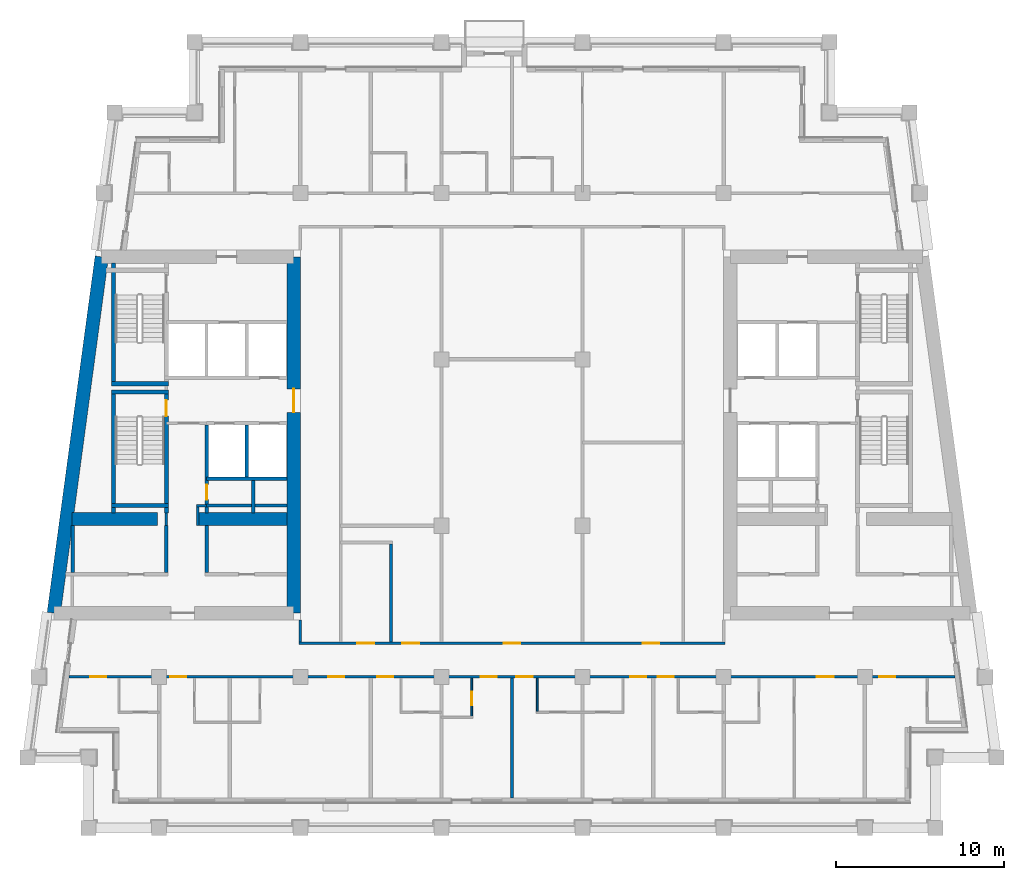
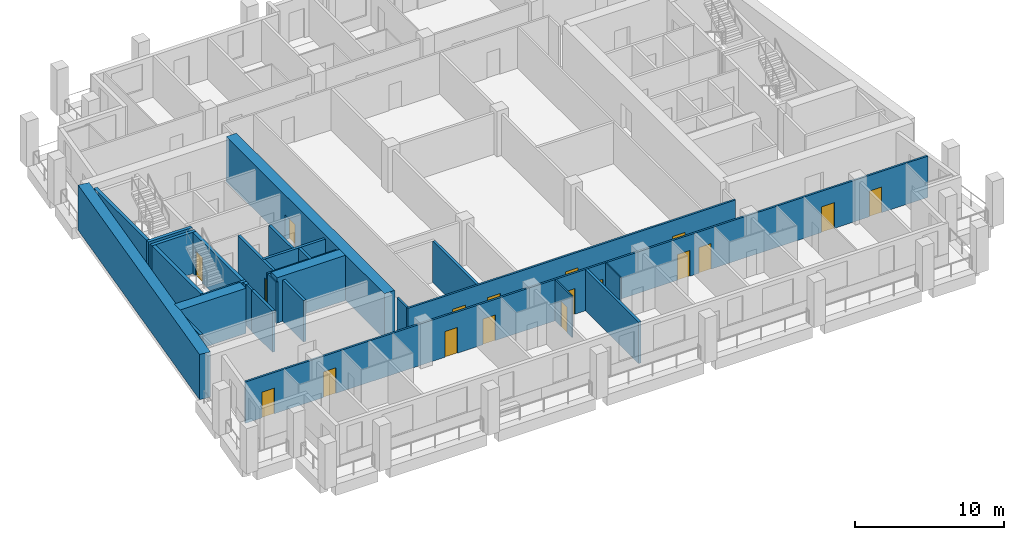
# One storey, part 3 of 12: 28 walls, 18 doors, 18 openings.
"""IFC4 building model written with IfcOpenShell, lengths in metres."""

from ifc_helpers import new_model, si_unit, direction, frame, frame_2d, origin, place, context, subcontext, project, spatial, rectangle, extrude, material, layer, layer_set, type_object, element, fill, save


model = new_model("IFC4")

# Units and contexts
model_context = context("Model", 3, precision=1e-05, world=origin(), true_north=direction((0.0, 1.0)))
body_context = subcontext(model_context, "Body", "Model", "MODEL_VIEW")
ifc_project = project(units=[si_unit("LENGTHUNIT", "METRE"), si_unit("AREAUNIT", "SQUARE_METRE"), si_unit("VOLUMEUNIT", "CUBIC_METRE"), si_unit("PLANEANGLEUNIT", "RADIAN"), si_unit("MASSUNIT", "GRAM", prefix="KILO")], contexts=[model_context])

# Site, building, storey
site_placement = place(None, origin())
site = spatial("IfcSite", under=ifc_project, at=site_placement, CompositionType="ELEMENT")
building_placement = place(site_placement, origin())
building = spatial("IfcBuilding", under=site, at=building_placement, Name="Candeia Pilgrim Tower and Theatre", CompositionType="ELEMENT")
storey_placement = place(building_placement, frame((0.0, 0.0, 217.0)))
storey = spatial("IfcBuildingStorey", under=building, at=storey_placement, Name="L52", CompositionType="ELEMENT", Elevation=217.0)

# Wall, opening, door
ifc_material_1 = material(Name="Concrete C50/60", Category="concrete")
ifc_layer_1 = layer(ifc_material_1, 0.800048828125)
ifc_layer_set_1 = layer_set([ifc_layer_1], Name="Core wall 800 C50/60")
wall_type_1 = type_object("IfcWallType", Name="Core wall 800 C50/60", PredefinedType="SHEAR", material=ifc_layer_set_1)
wall_1_placement = place(storey_placement, frame((100.39990234375, 132.0, 0.0), z_axis=(0.0, 0.0, 1.0), x_axis=(0.0, -1.0, 0.0)))
wall_1 = element("IfcWall", 1, at=wall_1_placement, inside=storey, type_object=wall_type_1, Name="Core wall W2", PredefinedType="SHEAR", context=body_context, shape_type="SweptSolid", body=[
    extrude(rectangle(XDim=21.199951171875, YDim=0.800048828125, at=frame_2d((10.60009765625, 0.0))), origin(), (0.0, 0.0, 1.0), 3.699951171875),
])
opening_1_placement = place(wall_1_placement, frame((7.85009765625, 0.0, 0.0)))
opening_1 = element("IfcOpeningElement", 2, at=opening_1_placement, cuts=wall_1, Name="Opening L52-D055", PredefinedType="OPENING", context=body_context, shape_type="SweptSolid", body=[
    extrude(rectangle(XDim=1.39990234375, YDim=2.10009765625, at=frame_2d((0.699951171875, 1.050048828125))), frame((0.0, 0.41015625, 0.0), z_axis=(0.0, -1.0, 0.0), x_axis=(1.0, 0.0, 0.0)), (0.0, 0.0, 1.0), 0.820068359375),
])
ifc_material_2 = material(Name="Steel fire door set", Category="steel")
door_type_1 = type_object("IfcDoorType", Name="D-1400-FD60", OperationType="NOTDEFINED", PredefinedType="DOOR", material=ifc_material_2)
door_1_placement = place(opening_1_placement, origin())
door_1 = element("IfcDoor", 3, at=door_1_placement, inside=storey, type_object=door_type_1, Name="Door L52-D055", OperationType="SINGLE_SWING_LEFT", OverallHeight=2.10009765625, OverallWidth=1.39990234375, PredefinedType="DOOR", context=body_context, shape_type="SweptSolid", body=[
    extrude(rectangle(XDim=1.39990234375, YDim=2.10009765625, at=frame_2d((0.699951171875, 1.050048828125))), frame((0.0, 0.02490234375, 0.0), z_axis=(0.0, -1.0, 0.0), x_axis=(1.0, 0.0, 0.0)), (0.0, 0.0, 1.0), 0.050048828125),
])
fill(opening_1, door_1)

# Walls
wall_2_placement = place(storey_placement, frame((86.126708984375, 110.800048828125, 0.0), z_axis=(0.0, 0.0, 1.0), x_axis=(0.133408347329, 0.991061154956, 0.0)))
element("IfcWall", 4, at=wall_2_placement, inside=storey, type_object=wall_type_1, Name="Core wall W4", PredefinedType="SHEAR", context=body_context, shape_type="SweptSolid", body=[
    extrude(rectangle(XDim=21.39111328125, YDim=0.800048828125, at=frame_2d((10.695556640625, 0.0))), origin(), (0.0, 0.0, 1.0), 3.699951171875),
])
wall_3_placement = place(storey_placement, frame((87.22314453125, 116.39990234375, 0.0), z_axis=(0.0, 0.0, 1.0), x_axis=(1.0, 0.0, 0.0)))
element("IfcWall", 5, at=wall_3_placement, inside=storey, type_object=wall_type_1, Name="Core wall W5", PredefinedType="SHEAR", context=body_context, shape_type="SweptSolid", body=[
    extrude(rectangle(XDim=5.076904296875, YDim=0.800048828125, at=frame_2d((2.53857421875, 0.0))), origin(), (0.0, 0.0, 1.0), 3.699951171875),
])
wall_4_placement = place(storey_placement, frame((94.699951171875, 116.39990234375, 0.0), z_axis=(0.0, 0.0, 1.0), x_axis=(1.0, 0.0, 0.0)))
element("IfcWall", 6, at=wall_4_placement, inside=storey, type_object=wall_type_1, Name="Core wall W6", PredefinedType="SHEAR", context=body_context, shape_type="SweptSolid", body=[
    extrude(rectangle(XDim=5.300048828125, YDim=0.800048828125, at=frame_2d((2.64990234375, 0.0))), origin(), (0.0, 0.0, 1.0), 3.699951171875),
])

# Wall, opening, door
ifc_material_3 = material(Name="Gypsum board partition on steel studs", Category="steel")
ifc_layer_2 = layer(ifc_material_3, 0.10009765625)
ifc_layer_set_2 = layer_set([ifc_layer_2], Name="PW-100 room partition")
wall_type_2 = type_object("IfcWallType", Name="PW-100 room partition", PredefinedType="PARTITIONING", material=ifc_layer_set_2)
wall_5_placement = place(storey_placement, frame((111.0, 104.64990234375, 0.0), z_axis=(0.0, 0.0, 1.0), x_axis=(0.0, 1.0, 0.0)))
wall_5 = element("IfcWall", 7, at=wall_5_placement, inside=storey, type_object=wall_type_2, Name="Room partition L52-084", PredefinedType="PARTITIONING", context=body_context, shape_type="SweptSolid", body=[
    extrude(rectangle(XDim=2.275146484375, YDim=0.10009765625, at=frame_2d((1.1376953125, 0.0))), origin(), (0.0, 0.0, 1.0), 3.3798828125),
])
opening_2_placement = place(wall_5_placement, frame((0.659912109375, 0.0, 0.0)))
opening_2 = element("IfcOpeningElement", 8, at=opening_2_placement, cuts=wall_5, Name="Opening L52-D022", PredefinedType="OPENING", context=body_context, shape_type="SweptSolid", body=[
    extrude(rectangle(XDim=0.800048828125, YDim=2.10009765625, at=frame_2d((0.39990234375, 1.050048828125))), frame((0.0, 0.06005859375, 0.0), z_axis=(0.0, -1.0, 0.0), x_axis=(1.0, 0.0, 0.0)), (0.0, 0.0, 1.0), 0.1201171875),
])
ifc_material_4 = material(Name="Timber door leaf", Category="wood")
door_type_2 = type_object("IfcDoorType", Name="D-800", OperationType="NOTDEFINED", PredefinedType="DOOR", material=ifc_material_4)
door_2_placement = place(opening_2_placement, origin())
door_2 = element("IfcDoor", 9, at=door_2_placement, inside=storey, type_object=door_type_2, Name="Door L52-D022", OperationType="SINGLE_SWING_RIGHT", OverallHeight=2.10009765625, OverallWidth=0.800048828125, PredefinedType="DOOR", context=body_context, shape_type="SweptSolid", body=[
    extrude(rectangle(XDim=0.800048828125, YDim=2.10009765625, at=frame_2d((0.39990234375, 1.050048828125))), frame((0.0, 0.02490234375, 0.0), z_axis=(0.0, -1.0, 0.0), x_axis=(1.0, 0.0, 0.0)), (0.0, 0.0, 1.0), 0.050048828125),
])
fill(opening_2, door_2)

# Walls
wall_6_placement = place(storey_placement, frame((114.89990234375, 104.949951171875, 0.0), z_axis=(0.0, 0.0, 1.0), x_axis=(0.0, 1.0, 0.0)))
element("IfcWall", 10, at=wall_6_placement, inside=storey, type_object=wall_type_2, Name="Room partition L52-088", PredefinedType="PARTITIONING", context=body_context, shape_type="SweptSolid", body=[
    extrude(rectangle(XDim=1.97509765625, YDim=0.10009765625, at=frame_2d((0.987548828125, 0.0))), origin(), (0.0, 0.0, 1.0), 3.3798828125),
])
ifc_layer_3 = layer(ifc_material_3, 0.14990234375)
ifc_layer_set_3 = layer_set([ifc_layer_3], Name="PW-150 lobby wall")
wall_type_3 = type_object("IfcWallType", Name="PW-150 lobby wall", PredefinedType="PARTITIONING", material=ifc_layer_set_3)
wall_7_placement = place(storey_placement, frame((94.625, 117.199951171875, 0.0), z_axis=(0.0, 0.0, 1.0), x_axis=(1.0, 0.0, 0.0)))
element("IfcWall", 11, at=wall_7_placement, inside=storey, type_object=wall_type_3, Name="Lobby wall L52-019", PredefinedType="PARTITIONING", context=body_context, shape_type="SweptSolid", body=[
    extrude(rectangle(XDim=0.60205078125, YDim=0.14990234375, at=frame_2d((0.301025390625, 0.0))), origin(), (0.0, 0.0, 1.0), 3.3798828125),
])
wall_8_placement = place(storey_placement, frame((92.826904296875, 116.0, 0.0), z_axis=(0.0, 0.0, 1.0), x_axis=(0.0, 1.0, 0.0)))
element("IfcWall", 12, at=wall_8_placement, inside=storey, type_object=wall_type_3, Name="Lobby wall L52-056", PredefinedType="PARTITIONING", context=body_context, shape_type="SweptSolid", body=[
    extrude(rectangle(XDim=0.77001953125, YDim=0.14990234375, at=frame_2d((0.385009765625, 0.0))), origin(), (0.0, 0.0, 1.0), 3.3798828125),
])
wall_9_placement = place(storey_placement, frame((94.699951171875, 116.0, 0.0), z_axis=(0.0, 0.0, 1.0), x_axis=(0.0, 1.0, 0.0)))
element("IfcWall", 13, at=wall_9_placement, inside=storey, type_object=wall_type_3, Name="Lobby wall L52-062", PredefinedType="PARTITIONING", context=body_context, shape_type="SweptSolid", body=[
    extrude(rectangle(XDim=1.125, YDim=0.14990234375, at=frame_2d((0.5625, 0.0))), origin(), (0.0, 0.0, 1.0), 3.3798828125),
])

# Wall, openings, doors
ifc_layer_4 = layer(ifc_material_3, 0.14990234375)
ifc_layer_set_4 = layer_set([ifc_layer_4], Name="PW-150 unit wall")
wall_type_4 = type_object("IfcWallType", Name="PW-150 unit wall", PredefinedType="PARTITIONING", material=ifc_layer_set_4)
wall_10_placement = place(storey_placement, frame((87.017578125, 107.0, 0.0), z_axis=(0.0, 0.0, 1.0), x_axis=(1.0, 0.0, 0.0)))
wall_10 = element("IfcWall", 14, at=wall_10_placement, inside=storey, type_object=wall_type_4, Name="Unit wall L52-009", PredefinedType="PARTITIONING", context=body_context, shape_type="SweptSolid", body=[
    extrude(rectangle(XDim=52.7646484375, YDim=0.14990234375, at=frame_2d((26.38232421875, 0.0))), origin(), (0.0, 0.0, 1.0), 3.3798828125),
])
opening_3_placement = place(wall_10_placement, frame((1.2763671875, 0.0, 0.0)))
opening_3 = element("IfcOpeningElement", 15, at=opening_3_placement, cuts=wall_10, Name="Opening L52-D013", PredefinedType="OPENING", context=body_context, shape_type="SweptSolid", body=[
    extrude(rectangle(XDim=0.949951171875, YDim=2.10009765625, at=frame_2d((0.47509765625, 1.050048828125))), frame((0.0, 0.0849609375, 0.0), z_axis=(0.0, -1.0, 0.0), x_axis=(1.0, 0.0, 0.0)), (0.0, 0.0, 1.0), 0.169921875),
])
opening_4_placement = place(wall_10_placement, frame((6.0341796875, 0.0, 0.0)))
opening_4 = element("IfcOpeningElement", 16, at=opening_4_placement, cuts=wall_10, Name="Opening L52-D015", PredefinedType="OPENING", context=body_context, shape_type="SweptSolid", body=[
    extrude(rectangle(XDim=0.949951171875, YDim=2.10009765625, at=frame_2d((0.47509765625, 1.050048828125))), frame((0.0, 0.0849609375, 0.0), z_axis=(0.0, -1.0, 0.0), x_axis=(1.0, 0.0, 0.0)), (0.0, 0.0, 1.0), 0.169921875),
])
opening_5_placement = place(wall_10_placement, frame((15.4453125, 0.0, 0.0)))
opening_5 = element("IfcOpeningElement", 17, at=opening_5_placement, cuts=wall_10, Name="Opening L52-D017", PredefinedType="OPENING", context=body_context, shape_type="SweptSolid", body=[
    extrude(rectangle(XDim=0.949951171875, YDim=2.10009765625, at=frame_2d((0.47509765625, 1.050048828125))), frame((0.0, 0.0849609375, 0.0), z_axis=(0.0, -1.0, 0.0), x_axis=(1.0, 0.0, 0.0)), (0.0, 0.0, 1.0), 0.169921875),
])
opening_6_placement = place(wall_10_placement, frame((18.369384765625, 0.0, 0.0)))
opening_6 = element("IfcOpeningElement", 18, at=opening_6_placement, cuts=wall_10, Name="Opening L52-D019", PredefinedType="OPENING", context=body_context, shape_type="SweptSolid", body=[
    extrude(rectangle(XDim=0.949951171875, YDim=2.10009765625, at=frame_2d((0.47509765625, 1.050048828125))), frame((0.0, 0.0849609375, 0.0), z_axis=(0.0, -1.0, 0.0), x_axis=(1.0, 0.0, 0.0)), (0.0, 0.0, 1.0), 0.169921875),
])
opening_7_placement = place(wall_10_placement, frame((24.519287109375, 0.0, 0.0)))
opening_7 = element("IfcOpeningElement", 19, at=opening_7_placement, cuts=wall_10, Name="Opening L52-D021", PredefinedType="OPENING", context=body_context, shape_type="SweptSolid", body=[
    extrude(rectangle(XDim=0.949951171875, YDim=2.10009765625, at=frame_2d((0.47509765625, 1.050048828125))), frame((0.0, 0.0849609375, 0.0), z_axis=(0.0, -1.0, 0.0), x_axis=(1.0, 0.0, 0.0)), (0.0, 0.0, 1.0), 0.169921875),
])
opening_8_placement = place(wall_10_placement, frame((26.63232421875, 0.0, 0.0)))
opening_8 = element("IfcOpeningElement", 20, at=opening_8_placement, cuts=wall_10, Name="Opening L52-D023", PredefinedType="OPENING", context=body_context, shape_type="SweptSolid", body=[
    extrude(rectangle(XDim=1.0, YDim=2.10009765625, at=frame_2d((0.5, 1.050048828125))), frame((0.0, 0.0849609375, 0.0), z_axis=(0.0, -1.0, 0.0), x_axis=(1.0, 0.0, 0.0)), (0.0, 0.0, 1.0), 0.169921875),
])
opening_9_placement = place(wall_10_placement, frame((33.42236328125, 0.0, 0.0)))
opening_9 = element("IfcOpeningElement", 21, at=opening_9_placement, cuts=wall_10, Name="Opening L52-D025", PredefinedType="OPENING", context=body_context, shape_type="SweptSolid", body=[
    extrude(rectangle(XDim=0.949951171875, YDim=2.10009765625, at=frame_2d((0.47509765625, 1.050048828125))), frame((0.0, 0.0849609375, 0.0), z_axis=(0.0, -1.0, 0.0), x_axis=(1.0, 0.0, 0.0)), (0.0, 0.0, 1.0), 0.169921875),
])
opening_10_placement = place(wall_10_placement, frame((35.057373046875, 0.0, 0.0)))
opening_10 = element("IfcOpeningElement", 22, at=opening_10_placement, cuts=wall_10, Name="Opening L52-D027", PredefinedType="OPENING", context=body_context, shape_type="SweptSolid", body=[
    extrude(rectangle(XDim=0.949951171875, YDim=2.10009765625, at=frame_2d((0.47509765625, 1.050048828125))), frame((0.0, 0.0849609375, 0.0), z_axis=(0.0, -1.0, 0.0), x_axis=(1.0, 0.0, 0.0)), (0.0, 0.0, 1.0), 0.169921875),
])
opening_11_placement = place(wall_10_placement, frame((44.5322265625, 0.0, 0.0)))
opening_11 = element("IfcOpeningElement", 23, at=opening_11_placement, cuts=wall_10, Name="Opening L52-D029", PredefinedType="OPENING", context=body_context, shape_type="SweptSolid", body=[
    extrude(rectangle(XDim=1.0, YDim=2.10009765625, at=frame_2d((0.5, 1.050048828125))), frame((0.0, 0.0849609375, 0.0), z_axis=(0.0, -1.0, 0.0), x_axis=(1.0, 0.0, 0.0)), (0.0, 0.0, 1.0), 0.169921875),
])
opening_12_placement = place(wall_10_placement, frame((48.249267578125, 0.0, 0.0)))
opening_12 = element("IfcOpeningElement", 24, at=opening_12_placement, cuts=wall_10, Name="Opening L52-D032", PredefinedType="OPENING", context=body_context, shape_type="SweptSolid", body=[
    extrude(rectangle(XDim=0.949951171875, YDim=2.10009765625, at=frame_2d((0.47509765625, 1.050048828125))), frame((0.0, 0.0849609375, 0.0), z_axis=(0.0, -1.0, 0.0), x_axis=(1.0, 0.0, 0.0)), (0.0, 0.0, 1.0), 0.169921875),
])
door_type_3 = type_object("IfcDoorType", Name="D-1000-FD30S", OperationType="NOTDEFINED", PredefinedType="DOOR", material=ifc_material_2)
door_3_placement = place(opening_8_placement, origin())
door_3 = element("IfcDoor", 25, at=door_3_placement, inside=storey, type_object=door_type_3, Name="Door L52-D023", OperationType="SINGLE_SWING_LEFT", OverallHeight=2.10009765625, OverallWidth=1.0, PredefinedType="DOOR", context=body_context, shape_type="SweptSolid", body=[
    extrude(rectangle(XDim=1.0, YDim=2.10009765625, at=frame_2d((0.5, 1.050048828125))), frame((0.0, 0.02490234375, 0.0), z_axis=(0.0, -1.0, 0.0), x_axis=(1.0, 0.0, 0.0)), (0.0, 0.0, 1.0), 0.050048828125),
])
fill(opening_8, door_3)
door_4_placement = place(opening_11_placement, origin())
door_4 = element("IfcDoor", 26, at=door_4_placement, inside=storey, type_object=door_type_3, Name="Door L52-D029", OperationType="SINGLE_SWING_LEFT", OverallHeight=2.10009765625, OverallWidth=1.0, PredefinedType="DOOR", context=body_context, shape_type="SweptSolid", body=[
    extrude(rectangle(XDim=1.0, YDim=2.10009765625, at=frame_2d((0.5, 1.050048828125))), frame((0.0, 0.02490234375, 0.0), z_axis=(0.0, -1.0, 0.0), x_axis=(1.0, 0.0, 0.0)), (0.0, 0.0, 1.0), 0.050048828125),
])
fill(opening_11, door_4)
door_type_4 = type_object("IfcDoorType", Name="D-950-FD30S", OperationType="NOTDEFINED", PredefinedType="DOOR", material=ifc_material_2)
door_5_placement = place(opening_3_placement, origin())
door_5 = element("IfcDoor", 27, at=door_5_placement, inside=storey, type_object=door_type_4, Name="Door L52-D013", OperationType="SINGLE_SWING_LEFT", OverallHeight=2.10009765625, OverallWidth=0.949951171875, PredefinedType="DOOR", context=body_context, shape_type="SweptSolid", body=[
    extrude(rectangle(XDim=0.949951171875, YDim=2.10009765625, at=frame_2d((0.47509765625, 1.050048828125))), frame((0.0, 0.02490234375, 0.0), z_axis=(0.0, -1.0, 0.0), x_axis=(1.0, 0.0, 0.0)), (0.0, 0.0, 1.0), 0.050048828125),
])
fill(opening_3, door_5)
door_6_placement = place(opening_4_placement, origin())
door_6 = element("IfcDoor", 28, at=door_6_placement, inside=storey, type_object=door_type_4, Name="Door L52-D015", OperationType="SINGLE_SWING_LEFT", OverallHeight=2.10009765625, OverallWidth=0.949951171875, PredefinedType="DOOR", context=body_context, shape_type="SweptSolid", body=[
    extrude(rectangle(XDim=0.949951171875, YDim=2.10009765625, at=frame_2d((0.47509765625, 1.050048828125))), frame((0.0, 0.02490234375, 0.0), z_axis=(0.0, -1.0, 0.0), x_axis=(1.0, 0.0, 0.0)), (0.0, 0.0, 1.0), 0.050048828125),
])
fill(opening_4, door_6)
door_7_placement = place(opening_5_placement, origin())
door_7 = element("IfcDoor", 29, at=door_7_placement, inside=storey, type_object=door_type_4, Name="Door L52-D017", OperationType="SINGLE_SWING_LEFT", OverallHeight=2.10009765625, OverallWidth=0.949951171875, PredefinedType="DOOR", context=body_context, shape_type="SweptSolid", body=[
    extrude(rectangle(XDim=0.949951171875, YDim=2.10009765625, at=frame_2d((0.47509765625, 1.050048828125))), frame((0.0, 0.02490234375, 0.0), z_axis=(0.0, -1.0, 0.0), x_axis=(1.0, 0.0, 0.0)), (0.0, 0.0, 1.0), 0.050048828125),
])
fill(opening_5, door_7)
door_8_placement = place(opening_6_placement, origin())
door_8 = element("IfcDoor", 30, at=door_8_placement, inside=storey, type_object=door_type_4, Name="Door L52-D019", OperationType="SINGLE_SWING_LEFT", OverallHeight=2.10009765625, OverallWidth=0.949951171875, PredefinedType="DOOR", context=body_context, shape_type="SweptSolid", body=[
    extrude(rectangle(XDim=0.949951171875, YDim=2.10009765625, at=frame_2d((0.47509765625, 1.050048828125))), frame((0.0, 0.02490234375, 0.0), z_axis=(0.0, -1.0, 0.0), x_axis=(1.0, 0.0, 0.0)), (0.0, 0.0, 1.0), 0.050048828125),
])
fill(opening_6, door_8)
door_9_placement = place(opening_7_placement, origin())
door_9 = element("IfcDoor", 31, at=door_9_placement, inside=storey, type_object=door_type_4, Name="Door L52-D021", OperationType="SINGLE_SWING_LEFT", OverallHeight=2.10009765625, OverallWidth=0.949951171875, PredefinedType="DOOR", context=body_context, shape_type="SweptSolid", body=[
    extrude(rectangle(XDim=0.949951171875, YDim=2.10009765625, at=frame_2d((0.47509765625, 1.050048828125))), frame((0.0, 0.02490234375, 0.0), z_axis=(0.0, -1.0, 0.0), x_axis=(1.0, 0.0, 0.0)), (0.0, 0.0, 1.0), 0.050048828125),
])
fill(opening_7, door_9)
door_10_placement = place(opening_9_placement, origin())
door_10 = element("IfcDoor", 32, at=door_10_placement, inside=storey, type_object=door_type_4, Name="Door L52-D025", OperationType="SINGLE_SWING_LEFT", OverallHeight=2.10009765625, OverallWidth=0.949951171875, PredefinedType="DOOR", context=body_context, shape_type="SweptSolid", body=[
    extrude(rectangle(XDim=0.949951171875, YDim=2.10009765625, at=frame_2d((0.47509765625, 1.050048828125))), frame((0.0, 0.02490234375, 0.0), z_axis=(0.0, -1.0, 0.0), x_axis=(1.0, 0.0, 0.0)), (0.0, 0.0, 1.0), 0.050048828125),
])
fill(opening_9, door_10)
door_11_placement = place(opening_10_placement, origin())
door_11 = element("IfcDoor", 33, at=door_11_placement, inside=storey, type_object=door_type_4, Name="Door L52-D027", OperationType="SINGLE_SWING_LEFT", OverallHeight=2.10009765625, OverallWidth=0.949951171875, PredefinedType="DOOR", context=body_context, shape_type="SweptSolid", body=[
    extrude(rectangle(XDim=0.949951171875, YDim=2.10009765625, at=frame_2d((0.47509765625, 1.050048828125))), frame((0.0, 0.02490234375, 0.0), z_axis=(0.0, -1.0, 0.0), x_axis=(1.0, 0.0, 0.0)), (0.0, 0.0, 1.0), 0.050048828125),
])
fill(opening_10, door_11)
door_12_placement = place(opening_12_placement, origin())
door_12 = element("IfcDoor", 34, at=door_12_placement, inside=storey, type_object=door_type_4, Name="Door L52-D032", OperationType="SINGLE_SWING_RIGHT", OverallHeight=2.10009765625, OverallWidth=0.949951171875, PredefinedType="DOOR", context=body_context, shape_type="SweptSolid", body=[
    extrude(rectangle(XDim=0.949951171875, YDim=2.10009765625, at=frame_2d((0.47509765625, 1.050048828125))), frame((0.0, 0.02490234375, 0.0), z_axis=(0.0, -1.0, 0.0), x_axis=(1.0, 0.0, 0.0)), (0.0, 0.0, 1.0), 0.050048828125),
])
fill(opening_12, door_12)

wall_11_placement = place(storey_placement, frame((100.72509765625, 109.0, 0.0), z_axis=(0.0, 0.0, 1.0), x_axis=(1.0, 0.0, 0.0)))
wall_11 = element("IfcWall", 35, at=wall_11_placement, inside=storey, type_object=wall_type_4, Name="Unit wall L52-010", PredefinedType="PARTITIONING", context=body_context, shape_type="SweptSolid", body=[
    extrude(rectangle(XDim=25.349853515625, YDim=0.14990234375, at=frame_2d((12.6748046875, 0.0))), origin(), (0.0, 0.0, 1.0), 3.3798828125),
])
opening_13_placement = place(wall_11_placement, frame((6.14990234375, 0.0, 0.0)))
opening_13 = element("IfcOpeningElement", 36, at=opening_13_placement, cuts=wall_11, Name="Opening L52-D046", PredefinedType="OPENING", context=body_context, shape_type="SweptSolid", body=[
    extrude(rectangle(XDim=1.0, YDim=2.10009765625, at=frame_2d((0.5, 1.050048828125))), frame((0.0, 0.0849609375, 0.0), z_axis=(0.0, -1.0, 0.0), x_axis=(1.0, 0.0, 0.0)), (0.0, 0.0, 1.0), 0.169921875),
])
opening_14_placement = place(wall_11_placement, frame((3.47509765625, 0.0, 0.0)))
opening_14 = element("IfcOpeningElement", 37, at=opening_14_placement, cuts=wall_11, Name="Opening L52-D047", PredefinedType="OPENING", context=body_context, shape_type="SweptSolid", body=[
    extrude(rectangle(XDim=1.0, YDim=2.10009765625, at=frame_2d((0.5, 1.050048828125))), frame((0.0, 0.0849609375, 0.0), z_axis=(0.0, -1.0, 0.0), x_axis=(1.0, 0.0, 0.0)), (0.0, 0.0, 1.0), 0.169921875),
])
opening_15_placement = place(wall_11_placement, frame((12.175048828125, 0.0, 0.0)))
opening_15 = element("IfcOpeningElement", 38, at=opening_15_placement, cuts=wall_11, Name="Opening L52-D049", PredefinedType="OPENING", context=body_context, shape_type="SweptSolid", body=[
    extrude(rectangle(XDim=1.0, YDim=2.10009765625, at=frame_2d((0.5, 1.050048828125))), frame((0.0, 0.0849609375, 0.0), z_axis=(0.0, -1.0, 0.0), x_axis=(1.0, 0.0, 0.0)), (0.0, 0.0, 1.0), 0.169921875),
])
opening_16_placement = place(wall_11_placement, frame((20.449951171875, 0.0, 0.0)))
opening_16 = element("IfcOpeningElement", 39, at=opening_16_placement, cuts=wall_11, Name="Opening L52-D051", PredefinedType="OPENING", context=body_context, shape_type="SweptSolid", body=[
    extrude(rectangle(XDim=1.0, YDim=2.10009765625, at=frame_2d((0.5, 1.050048828125))), frame((0.0, 0.0849609375, 0.0), z_axis=(0.0, -1.0, 0.0), x_axis=(1.0, 0.0, 0.0)), (0.0, 0.0, 1.0), 0.169921875),
])
door_13_placement = place(opening_13_placement, origin())
door_13 = element("IfcDoor", 40, at=door_13_placement, inside=storey, type_object=door_type_3, Name="Door L52-D046", OperationType="SINGLE_SWING_RIGHT", OverallHeight=2.10009765625, OverallWidth=1.0, PredefinedType="DOOR", context=body_context, shape_type="SweptSolid", body=[
    extrude(rectangle(XDim=1.0, YDim=2.10009765625, at=frame_2d((0.5, 1.050048828125))), frame((0.0, 0.02490234375, 0.0), z_axis=(0.0, -1.0, 0.0), x_axis=(1.0, 0.0, 0.0)), (0.0, 0.0, 1.0), 0.050048828125),
])
fill(opening_13, door_13)
door_14_placement = place(opening_14_placement, origin())
door_14 = element("IfcDoor", 41, at=door_14_placement, inside=storey, type_object=door_type_3, Name="Door L52-D047", OperationType="SINGLE_SWING_LEFT", OverallHeight=2.10009765625, OverallWidth=1.0, PredefinedType="DOOR", context=body_context, shape_type="SweptSolid", body=[
    extrude(rectangle(XDim=1.0, YDim=2.10009765625, at=frame_2d((0.5, 1.050048828125))), frame((0.0, 0.02490234375, 0.0), z_axis=(0.0, -1.0, 0.0), x_axis=(1.0, 0.0, 0.0)), (0.0, 0.0, 1.0), 0.050048828125),
])
fill(opening_14, door_14)
door_15_placement = place(opening_15_placement, origin())
door_15 = element("IfcDoor", 42, at=door_15_placement, inside=storey, type_object=door_type_3, Name="Door L52-D049", OperationType="SINGLE_SWING_LEFT", OverallHeight=2.10009765625, OverallWidth=1.0, PredefinedType="DOOR", context=body_context, shape_type="SweptSolid", body=[
    extrude(rectangle(XDim=1.0, YDim=2.10009765625, at=frame_2d((0.5, 1.050048828125))), frame((0.0, 0.02490234375, 0.0), z_axis=(0.0, -1.0, 0.0), x_axis=(1.0, 0.0, 0.0)), (0.0, 0.0, 1.0), 0.050048828125),
])
fill(opening_15, door_15)
door_16_placement = place(opening_16_placement, origin())
door_16 = element("IfcDoor", 43, at=door_16_placement, inside=storey, type_object=door_type_3, Name="Door L52-D051", OperationType="SINGLE_SWING_LEFT", OverallHeight=2.10009765625, OverallWidth=1.0, PredefinedType="DOOR", context=body_context, shape_type="SweptSolid", body=[
    extrude(rectangle(XDim=1.0, YDim=2.10009765625, at=frame_2d((0.5, 1.050048828125))), frame((0.0, 0.02490234375, 0.0), z_axis=(0.0, -1.0, 0.0), x_axis=(1.0, 0.0, 0.0)), (0.0, 0.0, 1.0), 0.050048828125),
])
fill(opening_16, door_16)

# Walls
wall_12_placement = place(storey_placement, frame((100.800048828125, 109.074951171875, 0.0), z_axis=(0.0, 0.0, 1.0), x_axis=(0.0, 1.0, 0.0)))
element("IfcWall", 44, at=wall_12_placement, inside=storey, type_object=wall_type_4, Name="Unit wall L52-073", PredefinedType="PARTITIONING", context=body_context, shape_type="SweptSolid", body=[
    extrude(rectangle(XDim=1.324951171875, YDim=0.14990234375, at=frame_2d((0.66259765625, 0.0))), origin(), (0.0, 0.0, 1.0), 3.3798828125),
])
ifc_layer_5 = layer(ifc_material_3, 0.199951171875)
ifc_layer_set_5 = layer_set([ifc_layer_5], Name="PW-200 party wall")
wall_type_5 = type_object("IfcWallType", Name="PW-200 party wall", PredefinedType="PARTITIONING", material=ifc_layer_set_5)
wall_13_placement = place(storey_placement, frame((106.199951171875, 109.074951171875, 0.0), z_axis=(0.0, 0.0, 1.0), x_axis=(0.0, 1.0, 0.0)))
element("IfcWall", 45, at=wall_13_placement, inside=storey, type_object=wall_type_5, Name="Party wall L52-078", PredefinedType="PARTITIONING", context=body_context, shape_type="SweptSolid", body=[
    extrude(rectangle(XDim=5.824951171875, YDim=0.199951171875, at=frame_2d((2.91259765625, 0.0))), origin(), (0.0, 0.0, 1.0), 3.3798828125),
])
wall_14_placement = place(storey_placement, frame((113.39990234375, 99.7900390625, 0.0), z_axis=(0.0, 0.0, 1.0), x_axis=(0.0, 1.0, 0.0)))
element("IfcWall", 46, at=wall_14_placement, inside=storey, type_object=wall_type_5, Name="Party wall L52-086", PredefinedType="PARTITIONING", context=body_context, shape_type="SweptSolid", body=[
    extrude(rectangle(XDim=7.135009765625, YDim=0.199951171875, at=frame_2d((3.5673828125, 0.0))), origin(), (0.0, 0.0, 1.0), 3.3798828125),
])
ifc_material_5 = material(Name="Concrete C40/50", Category="concrete")
ifc_layer_6 = layer(ifc_material_5, 0.199951171875)
ifc_layer_set_6 = layer_set([ifc_layer_6], Name="SW-200 shaft wall")
wall_type_6 = type_object("IfcWallType", Name="SW-200 shaft wall", PredefinedType="PARTITIONING", material=ifc_layer_set_6)
for number, where, z_axis, x_axis, name in (
    (47, (95.22705078125, 117.199951171875, 0.0), (0.0, 0.0, 1.0), (1.0, 0.0, 0.0), "Shaft wall L52-017"),
    (48, (95.22705078125, 118.800048828125, 0.0), (0.0, 0.0, 1.0), (1.0, 0.0, 0.0), "Shaft wall L52-023"),
):
    element("IfcWall", number, at=place(storey_placement, frame(where, z_axis=z_axis, x_axis=x_axis)), inside=storey, type_object=wall_type_6, Name=name, PredefinedType="PARTITIONING", context=body_context, shape_type="SweptSolid", body=[
        extrude(rectangle(XDim=4.77294921875, YDim=0.199951171875, at=frame_2d((2.386474609375, 0.0))), origin(), (0.0, 0.0, 1.0), 3.3798828125),
    ])
for number, where, z_axis, x_axis, name in (
    (49, (87.24951171875, 113.199951171875, 0.0), (0.0, 0.0, 1.0), (0.0, 1.0, 0.0), "Shaft wall L52-049"),
    (50, (92.826904296875, 113.199951171875, 0.0), (0.0, 0.0, 1.0), (0.0, 1.0, 0.0), "Shaft wall L52-055"),
    (51, (95.22705078125, 113.199951171875, 0.0), (0.0, 0.0, 1.0), (0.0, 1.0, 0.0), "Shaft wall L52-064"),
):
    element("IfcWall", number, at=place(storey_placement, frame(where, z_axis=z_axis, x_axis=x_axis)), inside=storey, type_object=wall_type_6, Name=name, PredefinedType="PARTITIONING", context=body_context, shape_type="SweptSolid", body=[
        extrude(rectangle(XDim=2.800048828125, YDim=0.199951171875, at=frame_2d((1.39990234375, 0.0))), origin(), (0.0, 0.0, 1.0), 3.3798828125),
    ])

# Wall, opening, door
wall_15_placement = place(storey_placement, frame((95.22705078125, 116.77001953125, 0.0), z_axis=(0.0, 0.0, 1.0), x_axis=(0.0, 1.0, 0.0)))
wall_15 = element("IfcWall", 52, at=wall_15_placement, inside=storey, type_object=wall_type_6, Name="Shaft wall L52-065", PredefinedType="PARTITIONING", context=body_context, shape_type="SweptSolid", body=[
    extrude(rectangle(XDim=5.22998046875, YDim=0.199951171875, at=frame_2d((2.614990234375, 0.0))), origin(), (0.0, 0.0, 1.0), 3.3798828125),
])
opening_17_placement = place(wall_15_placement, frame((0.780029296875, 0.0, 0.0)))
opening_17 = element("IfcOpeningElement", 53, at=opening_17_placement, cuts=wall_15, Name="Opening L52-D004", PredefinedType="OPENING", context=body_context, shape_type="SweptSolid", body=[
    extrude(rectangle(XDim=0.89990234375, YDim=2.10009765625, at=frame_2d((0.449951171875, 1.050048828125))), frame((0.0, 0.10986328125, 0.0), z_axis=(0.0, -1.0, 0.0), x_axis=(1.0, 0.0, 0.0)), (0.0, 0.0, 1.0), 0.219970703125),
])
door_type_5 = type_object("IfcDoorType", Name="D-900-FD60", OperationType="NOTDEFINED", PredefinedType="DOOR", material=ifc_material_2)
door_17_placement = place(opening_17_placement, origin())
door_17 = element("IfcDoor", 54, at=door_17_placement, inside=storey, type_object=door_type_5, Name="Door L52-D004", OperationType="SINGLE_SWING_RIGHT", OverallHeight=2.10009765625, OverallWidth=0.89990234375, PredefinedType="DOOR", context=body_context, shape_type="SweptSolid", body=[
    extrude(rectangle(XDim=0.89990234375, YDim=2.10009765625, at=frame_2d((0.449951171875, 1.050048828125))), frame((0.0, 0.02490234375, 0.0), z_axis=(0.0, -1.0, 0.0), x_axis=(1.0, 0.0, 0.0)), (0.0, 0.0, 1.0), 0.050048828125),
])
fill(opening_17, door_17)

# Walls
wall_16_placement = place(storey_placement, frame((97.613525390625, 118.89990234375, 0.0), z_axis=(0.0, 0.0, 1.0), x_axis=(0.0, 1.0, 0.0)))
element("IfcWall", 55, at=wall_16_placement, inside=storey, type_object=wall_type_6, Name="Shaft wall L52-069", PredefinedType="PARTITIONING", context=body_context, shape_type="SweptSolid", body=[
    extrude(rectangle(XDim=3.10009765625, YDim=0.199951171875, at=frame_2d((1.550048828125, 0.0))), origin(), (0.0, 0.0, 1.0), 3.3798828125),
])
wall_17_placement = place(storey_placement, frame((98.0, 116.77001953125, 0.0), z_axis=(0.0, 0.0, 1.0), x_axis=(0.0, 1.0, 0.0)))
element("IfcWall", 56, at=wall_17_placement, inside=storey, type_object=wall_type_6, Name="Shaft wall L52-070", PredefinedType="PARTITIONING", context=body_context, shape_type="SweptSolid", body=[
    extrude(rectangle(XDim=1.929931640625, YDim=0.199951171875, at=frame_2d((0.96484375, 0.0))), origin(), (0.0, 0.0, 1.0), 3.3798828125),
])
ifc_layer_7 = layer(ifc_material_5, 0.25)
ifc_layer_set_7 = layer_set([ifc_layer_7], Name="SW-250 stair wall")
wall_type_7 = type_object("IfcWallType", Name="SW-250 stair wall", PredefinedType="PARTITIONING", material=ifc_layer_set_7)
for number, where, z_axis, x_axis, name in (
    (57, (89.552001953125, 117.199951171875, 0.0), (0.0, 0.0, 1.0), (1.0, 0.0, 0.0), "Stair wall L52-021"),
    (58, (89.552001953125, 123.949951171875, 0.0), (0.0, 0.0, 1.0), (1.0, 0.0, 0.0), "Stair wall L52-030"),
    (59, (89.552001953125, 124.449951171875, 0.0), (0.0, 0.0, 1.0), (1.0, 0.0, 0.0), "Stair wall L52-032"),
):
    element("IfcWall", number, at=place(storey_placement, frame(where, z_axis=z_axis, x_axis=x_axis)), inside=storey, type_object=wall_type_7, Name=name, PredefinedType="PARTITIONING", context=body_context, shape_type="SweptSolid", body=[
        extrude(rectangle(XDim=3.39990234375, YDim=0.25, at=frame_2d((1.699951171875, 0.0))), origin(), (0.0, 0.0, 1.0), 3.3798828125),
    ])
for number, where, z_axis, x_axis, name in (
    (60, (89.677001953125, 116.77001953125, 0.0), (0.0, 0.0, 1.0), (0.0, 1.0, 0.0), "Stair wall L52-051"),
    (61, (89.677001953125, 124.574951171875, 0.0), (0.0, 0.0, 1.0), (0.0, 1.0, 0.0), "Stair wall L52-052"),
):
    element("IfcWall", number, at=place(storey_placement, frame(where, z_axis=z_axis, x_axis=x_axis)), inside=storey, type_object=wall_type_7, Name=name, PredefinedType="PARTITIONING", context=body_context, shape_type="SweptSolid", body=[
        extrude(rectangle(XDim=7.054931640625, YDim=0.25, at=frame_2d((3.52734375, 0.0))), origin(), (0.0, 0.0, 1.0), 3.3798828125),
    ])

# Wall, opening, door
wall_18_placement = place(storey_placement, frame((92.826904296875, 116.77001953125, 0.0), z_axis=(0.0, 0.0, 1.0), x_axis=(0.0, 1.0, 0.0)))
wall_18 = element("IfcWall", 62, at=wall_18_placement, inside=storey, type_object=wall_type_7, Name="Stair wall L52-058", PredefinedType="PARTITIONING", context=body_context, shape_type="SweptSolid", body=[
    extrude(rectangle(XDim=7.054931640625, YDim=0.25, at=frame_2d((3.52734375, 0.0))), origin(), (0.0, 0.0, 1.0), 3.3798828125),
])
opening_18_placement = place(wall_18_placement, frame((5.7548828125, 0.0, 0.0)))
opening_18 = element("IfcOpeningElement", 63, at=opening_18_placement, cuts=wall_18, Name="Opening L52-D002", PredefinedType="OPENING", context=body_context, shape_type="SweptSolid", body=[
    extrude(rectangle(XDim=0.949951171875, YDim=2.10009765625, at=frame_2d((0.47509765625, 1.050048828125))), frame((0.0, 0.135009765625, 0.0), z_axis=(0.0, -1.0, 0.0), x_axis=(1.0, 0.0, 0.0)), (0.0, 0.0, 1.0), 0.27001953125),
])
door_type_6 = type_object("IfcDoorType", Name="D-950-FD60", OperationType="NOTDEFINED", PredefinedType="DOOR", material=ifc_material_2)
door_18_placement = place(opening_18_placement, origin())
door_18 = element("IfcDoor", 64, at=door_18_placement, inside=storey, type_object=door_type_6, Name="Door L52-D002", OperationType="SINGLE_SWING_RIGHT", OverallHeight=2.10009765625, OverallWidth=0.949951171875, PredefinedType="DOOR", context=body_context, shape_type="SweptSolid", body=[
    extrude(rectangle(XDim=0.949951171875, YDim=2.10009765625, at=frame_2d((0.47509765625, 1.050048828125))), frame((0.0, 0.02490234375, 0.0), z_axis=(0.0, -1.0, 0.0), x_axis=(1.0, 0.0, 0.0)), (0.0, 0.0, 1.0), 0.050048828125),
])
fill(opening_18, door_18)

save(model, "model.ifc")
